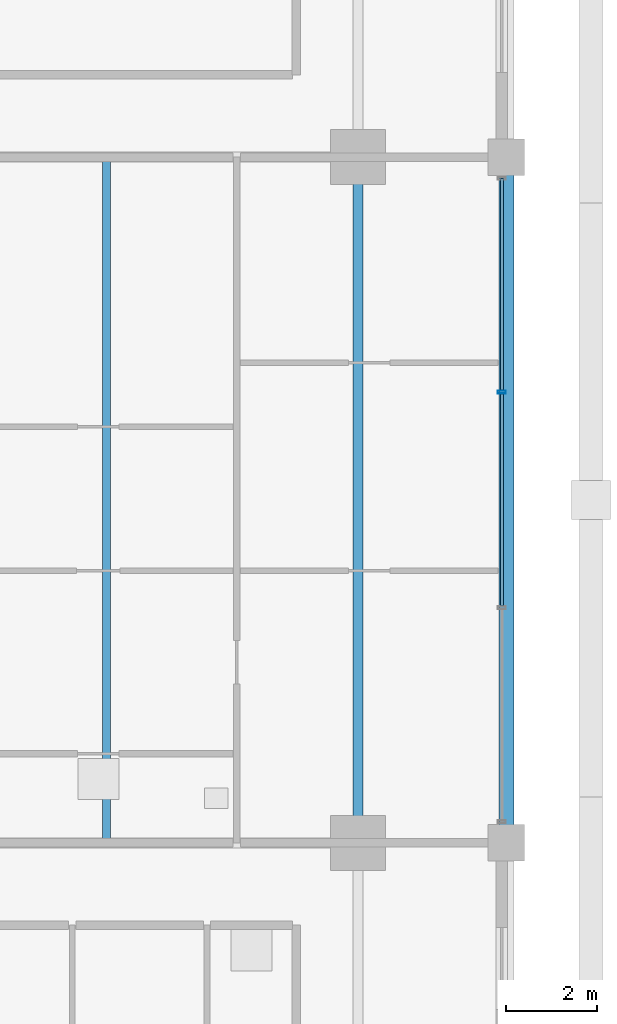
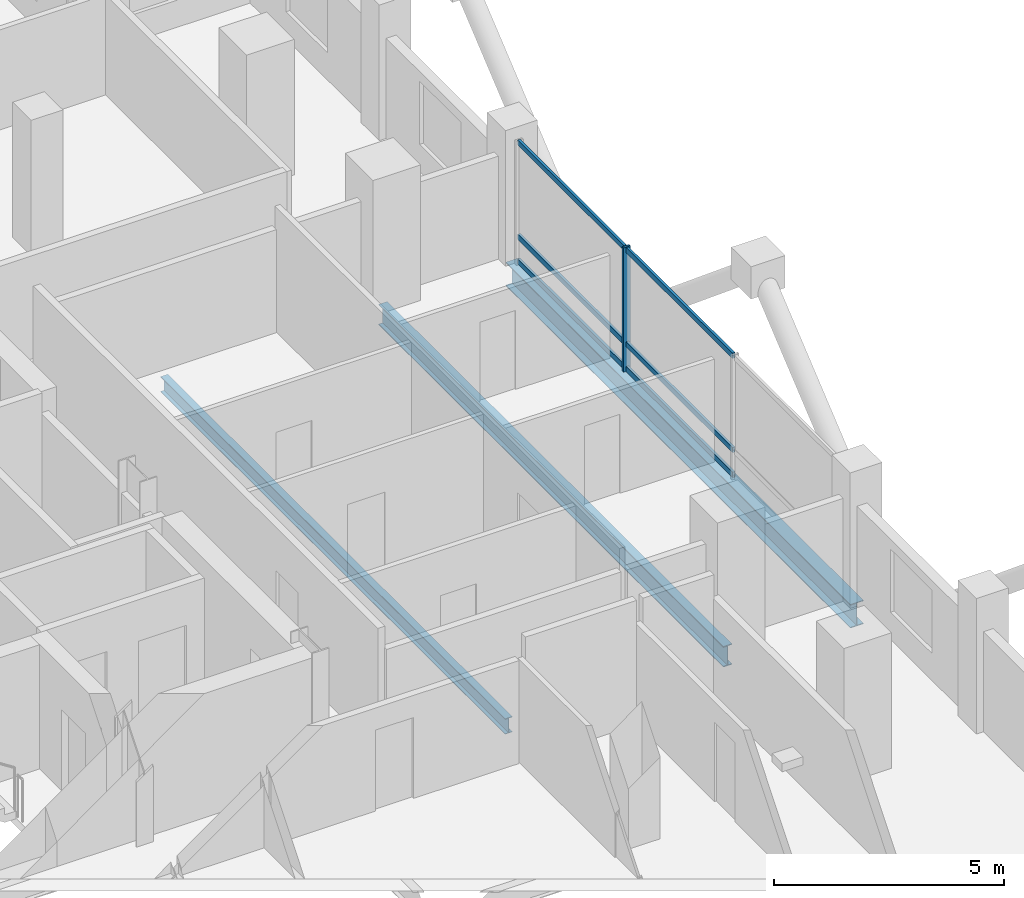
# One storey, part 9 of 23: 7 members, 3 beams, 1 element without a shape of its own.
"""IFC4 building model written with IfcOpenShell, lengths in metres."""

from ifc_helpers import new_model, si_unit, direction, frame, origin, origin_2d, place, context, subcontext, project, spatial, hollow_rectangle, i_section, extrude, material, layer, layer_set, material_profile, profile_set, type_object, element, aggregate, save


model = new_model("IFC4")

# Units and contexts
model_context = context("Model", 3, precision=1e-05, world=origin(), true_north=direction((0.0, 1.0)))
body_context = subcontext(model_context, "Body", "Model", "MODEL_VIEW")
ifc_project = project(units=[si_unit("LENGTHUNIT", "METRE"), si_unit("AREAUNIT", "SQUARE_METRE"), si_unit("VOLUMEUNIT", "CUBIC_METRE"), si_unit("PLANEANGLEUNIT", "RADIAN"), si_unit("MASSUNIT", "GRAM", prefix="KILO")], contexts=[model_context])

# Site, building, storey
site_placement = place(None, origin())
site = spatial("IfcSite", under=ifc_project, at=site_placement, CompositionType="ELEMENT")
building_placement = place(site_placement, origin())
building = spatial("IfcBuilding", under=site, at=building_placement, Name="Barlavira Tower and Art Museum", CompositionType="ELEMENT")
storey_placement = place(building_placement, frame((0.0, 0.0, 117.0)))
storey = spatial("IfcBuildingStorey", under=building, at=storey_placement, Name="L29", CompositionType="ELEMENT", Elevation=117.0)

# Curtain wall, members
ifc_material_1 = material(Name="Low-iron coastal laminated glass", Category="glass")
ifc_layer = layer(ifc_material_1, 0.18994140625, Name="Low-iron coastal laminated glass")
ifc_layer_set = layer_set([ifc_layer], Name="Low-iron coastal laminated glass")
curtain_wall_type = type_object("IfcCurtainWallType", Name="Pale-Metal Unitised Curtain Wall Zone 2", PredefinedType="NOTDEFINED", material=ifc_layer_set)
curtain_wall_placement = place(storey_placement, origin())
curtain_wall = element("IfcCurtainWall", 1, at=curtain_wall_placement, inside=storey, type_object=curtain_wall_type, Name="L29 Curtain Wall CW2-L29-E-B3", PredefinedType="NOTDEFINED")
ifc_material_2 = material(Name="Pale anodised aluminium", Category="aluminium")
ifc_material_profile_1 = material_profile(ifc_material_2, hollow_rectangle(XDim=0.06494140625, YDim=0.179931640625, WallThickness=0.00390625, at=origin_2d()), Name="ALU-MULL 65x180x4")
ifc_profile_set_1 = profile_set([ifc_material_profile_1], Name="Pale anodised aluminium")
member_type_1 = type_object("IfcMemberType", Name="Curtain Wall Pale-Metal Mullion 65x180", PredefinedType="MULLION", material=ifc_profile_set_1)
member_1_placement = place(storey_placement, frame((20.14990234375, 2.360107421875, 0.0), z_axis=(0.0, 0.0, 1.0), x_axis=(0.0, 1.0, 0.0)))
member_1 = element("IfcMember", 2, at=member_1_placement, type_object=member_type_1, Name="CW2-L29-E-B3 Mullion 2", PredefinedType="MULLION", context=body_context, shape_type="SweptSolid", body=[
    extrude(hollow_rectangle(XDim=0.06494140625, YDim=0.179931640625, WallThickness=0.00390625, at=origin_2d()), origin(), (0.0, 0.0, 1.0), 3.300048828125),
])
ifc_material_profile_2 = material_profile(ifc_material_2, hollow_rectangle(XDim=0.06494140625, YDim=0.139892578125, WallThickness=0.00390625, at=origin_2d()), Name="ALU-TRAN 65x140x4")
ifc_profile_set_2 = profile_set([ifc_material_profile_2], Name="Pale anodised aluminium")
member_type_2 = type_object("IfcMemberType", Name="Curtain Wall Pale-Metal Transom 65x140", PredefinedType="USERDEFINED", material=ifc_profile_set_2)
member_2_placement = place(storey_placement, frame((20.14990234375, -2.31494140625, 0.070068359375), z_axis=(0.0, 1.0, 0.0), x_axis=(-1.0, 0.0, 0.0)))
member_2 = element("IfcMember", 3, at=member_2_placement, type_object=member_type_2, Name="CW2-L29-E-B3 Transom 1.1", ObjectType="TRANSOM", PredefinedType="USERDEFINED", context=body_context, shape_type="SweptSolid", body=[
    extrude(hollow_rectangle(XDim=0.06494140625, YDim=0.139892578125, WallThickness=0.00390625, at=origin_2d()), origin(), (0.0, 0.0, 1.0), 4.6298828125),
])
member_3_placement = place(storey_placement, frame((20.14990234375, -2.31494140625, 0.72607421875), z_axis=(0.0, 1.0, 0.0), x_axis=(-1.0, 0.0, 0.0)))
member_3 = element("IfcMember", 4, at=member_3_placement, type_object=member_type_2, Name="CW2-L29-E-B3 Transom 1.2", ObjectType="TRANSOM", PredefinedType="USERDEFINED", context=body_context, shape_type="SweptSolid", body=[
    extrude(hollow_rectangle(XDim=0.06494140625, YDim=0.139892578125, WallThickness=0.00390625, at=origin_2d()), origin(), (0.0, 0.0, 1.0), 4.6298828125),
])
member_4_placement = place(storey_placement, frame((20.14990234375, -2.31494140625, 3.22998046875), z_axis=(0.0, 1.0, 0.0), x_axis=(-1.0, 0.0, 0.0)))
member_4 = element("IfcMember", 5, at=member_4_placement, type_object=member_type_2, Name="CW2-L29-E-B3 Transom 1.3", ObjectType="TRANSOM", PredefinedType="USERDEFINED", context=body_context, shape_type="SweptSolid", body=[
    extrude(hollow_rectangle(XDim=0.06494140625, YDim=0.139892578125, WallThickness=0.00390625, at=origin_2d()), origin(), (0.0, 0.0, 1.0), 4.6298828125),
])
member_5_placement = place(storey_placement, frame((20.14990234375, 2.405029296875, 0.070068359375), z_axis=(0.0, 1.0, 0.0), x_axis=(-1.0, 0.0, 0.0)))
member_5 = element("IfcMember", 6, at=member_5_placement, type_object=member_type_2, Name="CW2-L29-E-B3 Transom 2.1", ObjectType="TRANSOM", PredefinedType="USERDEFINED", context=body_context, shape_type="SweptSolid", body=[
    extrude(hollow_rectangle(XDim=0.06494140625, YDim=0.139892578125, WallThickness=0.00390625, at=origin_2d()), origin(), (0.0, 0.0, 1.0), 4.6298828125),
])
member_6_placement = place(storey_placement, frame((20.14990234375, 2.405029296875, 0.72607421875), z_axis=(0.0, 1.0, 0.0), x_axis=(-1.0, 0.0, 0.0)))
member_6 = element("IfcMember", 7, at=member_6_placement, type_object=member_type_2, Name="CW2-L29-E-B3 Transom 2.2", ObjectType="TRANSOM", PredefinedType="USERDEFINED", context=body_context, shape_type="SweptSolid", body=[
    extrude(hollow_rectangle(XDim=0.06494140625, YDim=0.139892578125, WallThickness=0.00390625, at=origin_2d()), origin(), (0.0, 0.0, 1.0), 4.6298828125),
])
member_7_placement = place(storey_placement, frame((20.14990234375, 2.405029296875, 3.22998046875), z_axis=(0.0, 1.0, 0.0), x_axis=(-1.0, 0.0, 0.0)))
member_7 = element("IfcMember", 8, at=member_7_placement, type_object=member_type_2, Name="CW2-L29-E-B3 Transom 2.3", ObjectType="TRANSOM", PredefinedType="USERDEFINED", context=body_context, shape_type="SweptSolid", body=[
    extrude(hollow_rectangle(XDim=0.06494140625, YDim=0.139892578125, WallThickness=0.00390625, at=origin_2d()), origin(), (0.0, 0.0, 1.0), 4.6298828125),
])
aggregate(curtain_wall, [member_1, member_2, member_3, member_4, member_5, member_6, member_7])

# Beams
ifc_material_3 = material(Name="Steel S355", Category="steel")
ifc_material_profile_3 = material_profile(ifc_material_3, i_section(OverallWidth=0.327880859375, OverallDepth=0.62890625, WebThickness=0.013916015625, FlangeThickness=0.021484375, at=origin_2d()), Name="W610x174.0")
ifc_profile_set_3 = profile_set([ifc_material_profile_3], Name="Steel S355")
beam_type_1 = type_object("IfcBeamType", Name="Perimeter Spandrel Edge Beam W610x174 Steel S355", PredefinedType="SPANDREL", material=ifc_profile_set_3)
beam_1_placement = place(storey_placement, frame((20.25, -7.5, -0.534423828125), z_axis=(0.0, 1.0, 0.0), x_axis=(-1.0, 0.0, 0.0)))
element("IfcBeam", 9, at=beam_1_placement, inside=storey, type_object=beam_type_1, Name="L29 Spandrel 6", PredefinedType="SPANDREL", context=body_context, shape_type="SweptSolid", body=[
    extrude(i_section(OverallWidth=0.327880859375, OverallDepth=0.62890625, WebThickness=0.013916015625, FlangeThickness=0.021484375, at=origin_2d()), origin(), (0.0, 0.0, 1.0), 15.0),
])
ifc_material_profile_4 = material_profile(ifc_material_3, i_section(OverallWidth=0.214111328125, OverallDepth=0.549072265625, WebThickness=0.0146484375, FlangeThickness=0.023681640625, at=origin_2d()), Name="W530x138.0")
ifc_profile_set_4 = profile_set([ifc_material_profile_4], Name="Steel S355")
beam_type_2 = type_object("IfcBeamType", Name="Zone 1 Primary Floor Girder W530x138 Steel S355", PredefinedType="BEAM", material=ifc_profile_set_4)
beam_2_placement = place(storey_placement, frame((17.0, -7.5, -0.494384765625), z_axis=(0.0, 1.0, 0.0), x_axis=(-1.0, 0.0, 0.0)))
element("IfcBeam", 10, at=beam_2_placement, inside=storey, type_object=beam_type_2, Name="L29 Girder M-E2", PredefinedType="BEAM", context=body_context, shape_type="SweptSolid", body=[
    extrude(i_section(OverallWidth=0.214111328125, OverallDepth=0.549072265625, WebThickness=0.0146484375, FlangeThickness=0.023681640625, at=origin_2d()), origin(), (0.0, 0.0, 1.0), 15.0),
])
ifc_material_profile_5 = material_profile(ifc_material_3, i_section(OverallWidth=0.179931640625, OverallDepth=0.4130859375, WebThickness=0.009765625, FlangeThickness=0.01611328125, at=origin_2d()), Name="W410x75.0")
ifc_profile_set_5 = profile_set([ifc_material_profile_5], Name="Steel S355")
beam_type_3 = type_object("IfcBeamType", Name="Zone 2 Composite Floor Joist W410x75 Steel S355", PredefinedType="JOIST", material=ifc_profile_set_5)
beam_3_placement = place(storey_placement, frame((11.5, -7.5, -0.426513671875), z_axis=(0.0, 1.0, 0.0), x_axis=(-1.0, 0.0, 0.0)))
element("IfcBeam", 11, at=beam_3_placement, inside=storey, type_object=beam_type_3, Name="L29 Joist W2", PredefinedType="JOIST", context=body_context, shape_type="SweptSolid", body=[
    extrude(i_section(OverallWidth=0.179931640625, OverallDepth=0.4130859375, WebThickness=0.009765625, FlangeThickness=0.01611328125, at=origin_2d()), origin(), (0.0, 0.0, 1.0), 15.0),
])

save(model, "model.ifc")
